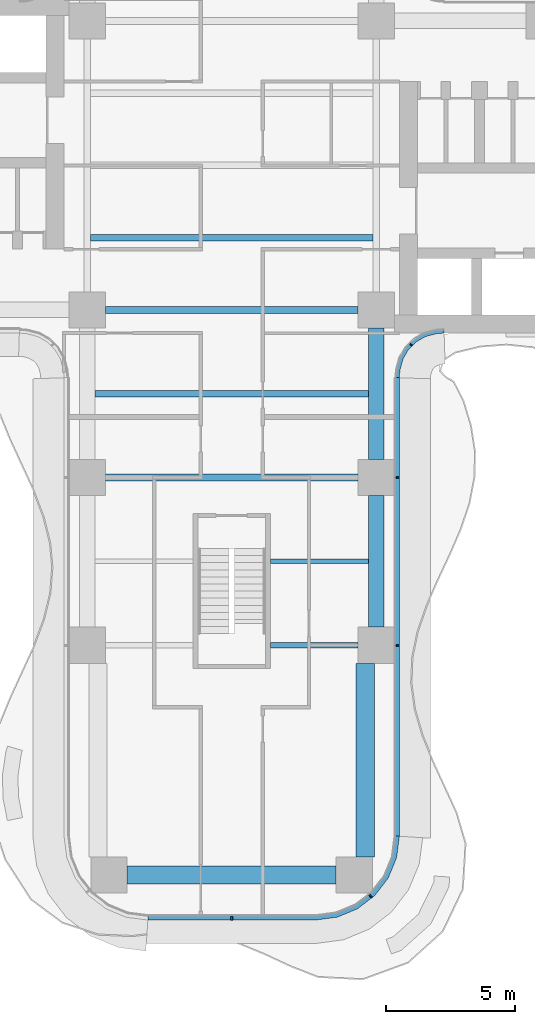
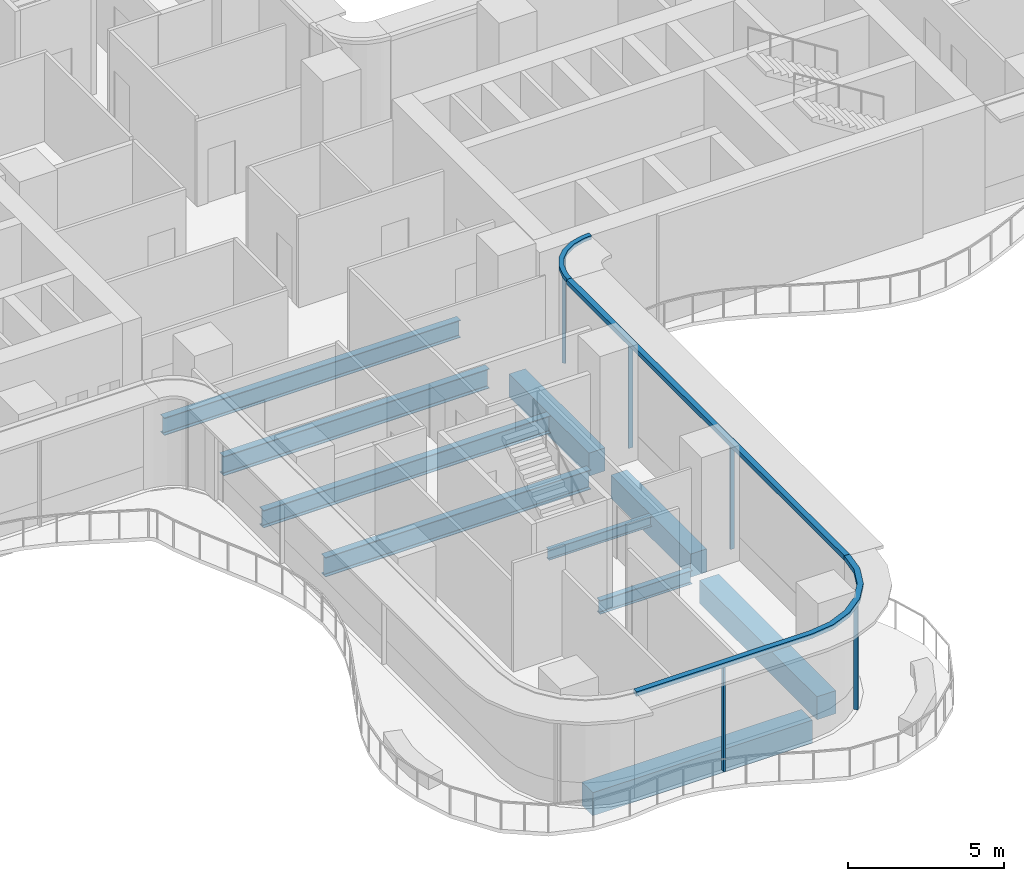
# One storey, part 5 of 22: 10 beams, 8 members, 3 elements without a shape of their own.
"""IFC4 building model written with IfcOpenShell, lengths in metres."""

from ifc_helpers import new_model, si_unit, direction, frame, origin, origin_2d, place, context, subcontext, project, spatial, polyline, rectangle, i_section, outline, extrude, source, transform, mapped, material, layer, layer_set, material_profile, profile_set, type_object, element, aggregate, save


model = new_model("IFC4")

# Units and contexts
model_context = context("Model", 3, precision=1e-05, world=origin(), true_north=direction((0.0, 1.0)))
body_context = subcontext(model_context, "Body", "Model", "MODEL_VIEW")
ifc_project = project(units=[si_unit("LENGTHUNIT", "METRE"), si_unit("AREAUNIT", "SQUARE_METRE"), si_unit("VOLUMEUNIT", "CUBIC_METRE"), si_unit("PLANEANGLEUNIT", "RADIAN"), si_unit("MASSUNIT", "GRAM", prefix="KILO")], contexts=[model_context])

# Site, building, storey
site_placement = place(None, origin())
site = spatial("IfcSite", under=ifc_project, at=site_placement, CompositionType="ELEMENT")
building_placement = place(site_placement, origin())
building = spatial("IfcBuilding", under=site, at=building_placement, Name="Trellis Farm Tower", CompositionType="ELEMENT")
storey_placement = place(building_placement, frame((0.0, 0.0, 47.5)))
storey = spatial("IfcBuildingStorey", under=building, at=storey_placement, Name="L09", CompositionType="ELEMENT", Elevation=47.5)

# Beams
ifc_material_1 = material(Name="Steel S355", Category="steel")
ifc_material_profile_1 = material_profile(ifc_material_1, i_section(OverallWidth=0.253662109375, OverallDepth=0.68359375, WebThickness=0.012451171875, FlangeThickness=0.021728515625, FilletRadius=0.01513671875, at=origin_2d()), Name="UB 686x254x140")
ifc_profile_set_1 = profile_set([ifc_material_profile_1], Name="Steel S355")
beam_type_1 = type_object("IfcBeamType", Name="UB 686x254x140 joist", PredefinedType="JOIST", material=ifc_profile_set_1)
shared_shape_1 = source(origin(), body_context, "Body", "SweptSolid", [
    extrude(i_section(OverallWidth=0.253662109375, OverallDepth=0.68359375, WebThickness=0.012451171875, FlangeThickness=0.021728515625, FilletRadius=0.01513671875, at=origin_2d()), origin(), (0.0, 0.0, 1.0), 10.93310546875),
])
beam_1_placement = place(storey_placement, frame((-5.466552734375, -2.800048828125, -0.591796875), z_axis=(1.0, 0.0, 0.0), x_axis=(0.0, 1.0, 0.0)))
element("IfcBeam", 1, at=beam_1_placement, inside=storey, type_object=beam_type_1, Name="Floor beam", PredefinedType="JOIST", context=body_context, shape_type="MappedRepresentation", body=[
    mapped(shared_shape_1, transform((0.0, 0.0, 0.0))),
])
ifc_material_profile_2 = material_profile(ifc_material_1, i_section(OverallWidth=0.209228515625, OverallDepth=0.533203125, WebThickness=0.010009765625, FlangeThickness=0.015625, FilletRadius=0.0126953125, at=origin_2d()), Name="UB 533x210x92")
ifc_profile_set_2 = profile_set([ifc_material_profile_2], Name="Steel S355")
beam_type_2 = type_object("IfcBeamType", Name="UB 533x210x92", PredefinedType="BEAM", material=ifc_profile_set_2)
shared_shape_2 = source(origin(), body_context, "Body", "SweptSolid", [
    extrude(i_section(OverallWidth=0.209228515625, OverallDepth=0.533203125, WebThickness=0.010009765625, FlangeThickness=0.015625, FilletRadius=0.0126953125, at=origin_2d()), origin(), (0.0, 0.0, 1.0), 3.39990234375),
])
beam_2_placement = place(storey_placement, frame((1.5, -18.60009765625, -0.5166015625), z_axis=(1.0, 0.0, 0.0), x_axis=(0.0, 1.0, 0.0)))
element("IfcBeam", 2, at=beam_2_placement, inside=storey, type_object=beam_type_2, Name="Girder", PredefinedType="BEAM", context=body_context, shape_type="MappedRepresentation", body=[
    mapped(shared_shape_2, transform((0.0, 0.0, 0.0))),
])
ifc_material_2 = material(Name="Concrete C60/75", Category="concrete")
ifc_material_profile_3 = material_profile(ifc_material_2, rectangle(XDim=0.60009765625, YDim=0.89990234375, at=origin_2d()), Name="RC spandrel beam 600x900 C60/75")
ifc_profile_set_3 = profile_set([ifc_material_profile_3], Name="Concrete C60/75")
beam_type_3 = type_object("IfcBeamType", Name="RC spandrel beam 600x900 C60/75", PredefinedType="SPANDREL", material=ifc_profile_set_3)
shared_shape_3 = source(origin(), body_context, "Body", "SweptSolid", [
    extrude(rectangle(XDim=0.60009765625, YDim=0.89990234375, at=origin_2d()), origin(), (0.0, 0.0, 1.0), 5.099853515625),
])
for number, where, z_axis, x_axis, name in (
    (3, (5.60009765625, -17.89990234375, -0.699951171875), (0.0, 1.0, 0.0), (-1.0, 0.0, 0.0), "Girder"),
    (4, (5.60009765625, -11.39990234375, -0.699951171875), (0.0, 1.0, 0.0), (-1.0, 0.0, 0.0), "Girder"),
):
    element("IfcBeam", number, at=place(storey_placement, frame(where, z_axis=z_axis, x_axis=x_axis)), inside=storey, type_object=beam_type_3, Name=name, PredefinedType="SPANDREL", context=body_context, shape_type="MappedRepresentation", body=[
        mapped(shared_shape_3, transform((0.0, 0.0, 0.0))),
    ])
ifc_material_profile_4 = material_profile(ifc_material_1, i_section(OverallWidth=0.2666015625, OverallDepth=0.76220703125, WebThickness=0.014404296875, FlangeThickness=0.021484375, FilletRadius=0.0166015625, at=origin_2d()), Name="UB 762x267x173")
ifc_profile_set_4 = profile_set([ifc_material_profile_4], Name="Steel S355")
beam_type_4 = type_object("IfcBeamType", Name="UB 762x267x173", PredefinedType="BEAM", material=ifc_profile_set_4)
shared_shape_4 = source(origin(), body_context, "Body", "SweptSolid", [
    extrude(i_section(OverallWidth=0.2666015625, OverallDepth=0.76220703125, WebThickness=0.014404296875, FlangeThickness=0.021484375, FilletRadius=0.0166015625, at=origin_2d()), origin(), (0.0, 0.0, 1.0), 9.7998046875),
])
for number, where, z_axis, x_axis, name in (
    (5, (-4.89990234375, -12.10009765625, -0.631103515625), (1.0, 0.0, 0.0), (0.0, 1.0, 0.0), "Girder"),
    (6, (-4.89990234375, -5.60009765625, -0.631103515625), (1.0, 0.0, 0.0), (0.0, 1.0, 0.0), "Girder"),
):
    element("IfcBeam", number, at=place(storey_placement, frame(where, z_axis=z_axis, x_axis=x_axis)), inside=storey, type_object=beam_type_4, Name=name, PredefinedType="BEAM", context=body_context, shape_type="MappedRepresentation", body=[
        mapped(shared_shape_4, transform((0.0, 0.0, 0.0))),
    ])
ifc_material_profile_5 = material_profile(ifc_material_2, rectangle(XDim=0.699951171875, YDim=0.89990234375, at=origin_2d()), Name="RC spandrel beam 700x900 C60/75")
ifc_profile_set_5 = profile_set([ifc_material_profile_5], Name="Concrete C60/75")
beam_type_5 = type_object("IfcBeamType", Name="RC spandrel beam 700x900 C60/75", PredefinedType="SPANDREL", material=ifc_profile_set_5)
shared_shape_5 = source(origin(), body_context, "Body", "SweptSolid", [
    extrude(rectangle(XDim=0.699951171875, YDim=0.89990234375, at=origin_2d()), origin(), (0.0, 0.0, 1.0), 8.10009765625),
])
beam_3_placement = place(storey_placement, frame((-4.050048828125, -27.5, -0.699951171875), z_axis=(1.0, 0.0, 0.0), x_axis=(0.0, 1.0, 0.0)))
element("IfcBeam", 7, at=beam_3_placement, inside=storey, type_object=beam_type_5, Name="Girder", PredefinedType="SPANDREL", context=body_context, shape_type="MappedRepresentation", body=[
    mapped(shared_shape_5, transform((0.0, 0.0, 0.0))),
])
shared_shape_6 = source(origin(), body_context, "Body", "SweptSolid", [
    extrude(rectangle(XDim=0.699951171875, YDim=0.89990234375, at=origin_2d()), origin(), (0.0, 0.0, 1.0), 7.5),
])
beam_4_placement = place(storey_placement, frame((5.175048828125, -26.800048828125, -0.699951171875), z_axis=(0.0, 1.0, 0.0), x_axis=(-1.0, 0.0, 0.0)))
element("IfcBeam", 8, at=beam_4_placement, inside=storey, type_object=beam_type_5, Name="Girder", PredefinedType="SPANDREL", context=body_context, shape_type="MappedRepresentation", body=[
    mapped(shared_shape_6, transform((0.0, 0.0, 0.0))),
])
ifc_material_profile_6 = material_profile(ifc_material_1, i_section(OverallWidth=0.177978515625, OverallDepth=0.406494140625, WebThickness=0.0078125, FlangeThickness=0.0126953125, FilletRadius=0.01025390625, at=origin_2d()), Name="UB 406x178x60")
ifc_profile_set_6 = profile_set([ifc_material_profile_6], Name="Steel S355")
beam_type_6 = type_object("IfcBeamType", Name="UB 406x178x60 joist", PredefinedType="JOIST", material=ifc_profile_set_6)
shared_shape_7 = source(origin(), body_context, "Body", "SweptSolid", [
    extrude(i_section(OverallWidth=0.177978515625, OverallDepth=0.406494140625, WebThickness=0.0078125, FlangeThickness=0.0126953125, FilletRadius=0.01025390625, at=origin_2d()), origin(), (0.0, 0.0, 1.0), 3.800048828125),
])
beam_5_placement = place(storey_placement, frame((1.5, -15.35009765625, -0.453125), z_axis=(1.0, 0.0, 0.0), x_axis=(0.0, 1.0, 0.0)))
element("IfcBeam", 9, at=beam_5_placement, inside=storey, type_object=beam_type_6, Name="Floor beam", PredefinedType="JOIST", context=body_context, shape_type="MappedRepresentation", body=[
    mapped(shared_shape_7, transform((0.0, 0.0, 0.0))),
])
shared_shape_8 = source(origin(), body_context, "Body", "SweptSolid", [
    extrude(i_section(OverallWidth=0.253662109375, OverallDepth=0.68359375, WebThickness=0.012451171875, FlangeThickness=0.021728515625, FilletRadius=0.01513671875, at=origin_2d()), origin(), (0.0, 0.0, 1.0), 10.60009765625),
])
beam_6_placement = place(storey_placement, frame((-5.300048828125, -8.85009765625, -0.591796875), z_axis=(1.0, 0.0, 0.0), x_axis=(0.0, 1.0, 0.0)))
element("IfcBeam", 10, at=beam_6_placement, inside=storey, type_object=beam_type_1, Name="Floor beam", PredefinedType="JOIST", context=body_context, shape_type="MappedRepresentation", body=[
    mapped(shared_shape_8, transform((0.0, 0.0, 0.0))),
])

# Curtain wall, members
ifc_material_3 = material(Name="Aluminium and glass curtain wall", Category="aluminium")
ifc_layer_1 = layer(ifc_material_3, 0.18994140625)
ifc_layer_set_1 = layer_set([ifc_layer_1], Name="RIBBON CURTAIN WALL CW1")
curtain_wall_type_1 = type_object("IfcCurtainWallType", Name="RIBBON CURTAIN WALL CW1", PredefinedType="NOTDEFINED", material=ifc_layer_set_1)
placement_1 = place(storey_placement, origin())
curtain_wall_1 = element("IfcCurtainWall", 11, at=placement_1, inside=storey, type_object=curtain_wall_type_1, Name="CW1 003", PredefinedType="NOTDEFINED")
ifc_material_4 = material(Name="Aluminium extrusion 6063-T6", Category="aluminium")
ifc_material_profile_7 = material_profile(ifc_material_4, rectangle(XDim=0.06005859375, YDim=0.14990234375, at=origin_2d()), Name="MULLION 60x150")
ifc_profile_set_7 = profile_set([ifc_material_profile_7], Name="Aluminium extrusion 6063-T6")
member_type_1 = type_object("IfcMemberType", Name="CW1 MULLION 60x150", PredefinedType="MULLION", material=ifc_profile_set_7)
shared_shape_9 = source(origin(), body_context, "Body", "SweptSolid", [
    extrude(rectangle(XDim=0.06005859375, YDim=0.14990234375, at=origin_2d()), origin(), (0.0, 0.0, 1.0), 4.070068359375),
])
member_1_placement = place(storey_placement, frame((0.0, -29.175048828125, 0.0), z_axis=(0.0, 0.0, 1.0), x_axis=(1.0, 0.0, 0.0)))
member_1 = element("IfcMember", 12, at=member_1_placement, type_object=member_type_1, Name="MU1 003-01", PredefinedType="MULLION", context=body_context, shape_type="MappedRepresentation", body=[
    mapped(shared_shape_9, transform((0.0, 0.0, 0.0))),
])
member_2_placement = place(storey_placement, frame((5.385498046875, -28.328369140625, 0.0), z_axis=(0.0, 0.0, 1.0), x_axis=(0.793353340291, 0.608761429009, 0.0)))
member_2 = element("IfcMember", 13, at=member_2_placement, type_object=member_type_1, Name="MU1 003-02", PredefinedType="MULLION", context=body_context, shape_type="MappedRepresentation", body=[
    mapped(shared_shape_9, transform((0.0, 0.0, 0.0))),
])

curtain_wall_2 = element("IfcCurtainWall", 14, at=placement_1, inside=storey, type_object=curtain_wall_type_1, Name="CW1 004", PredefinedType="NOTDEFINED")
member_3_placement = place(storey_placement, frame((6.425048828125, -18.60009765625, 0.0), z_axis=(0.0, 0.0, 1.0), x_axis=(0.0, 1.0, 0.0)))
member_3 = element("IfcMember", 15, at=member_3_placement, type_object=member_type_1, Name="MU1 004-01", PredefinedType="MULLION", context=body_context, shape_type="MappedRepresentation", body=[
    mapped(shared_shape_9, transform((0.0, 0.0, 0.0))),
])
member_4_placement = place(storey_placement, frame((6.425048828125, -12.10009765625, 0.0), z_axis=(0.0, 0.0, 1.0), x_axis=(0.0, 1.0, 0.0)))
member_4 = element("IfcMember", 16, at=member_4_placement, type_object=member_type_1, Name="MU1 004-02", PredefinedType="MULLION", context=body_context, shape_type="MappedRepresentation", body=[
    mapped(shared_shape_9, transform((0.0, 0.0, 0.0))),
])

# Curtain wall, member
ifc_layer_2 = layer(ifc_material_3, 0.166015625)
ifc_layer_set_2 = layer_set([ifc_layer_2], Name="WINTER GARDEN CURTAIN WALL CW3")
curtain_wall_type_2 = type_object("IfcCurtainWallType", Name="WINTER GARDEN CURTAIN WALL CW3", PredefinedType="NOTDEFINED", material=ifc_layer_set_2)
curtain_wall_3 = element("IfcCurtainWall", 17, at=placement_1, inside=storey, type_object=curtain_wall_type_2, Name="CW3 002", PredefinedType="NOTDEFINED")
ifc_material_profile_8 = material_profile(ifc_material_4, rectangle(XDim=0.050048828125, YDim=0.1201171875, at=origin_2d()), Name="MULLION 50x120")
ifc_profile_set_8 = profile_set([ifc_material_profile_8], Name="Aluminium extrusion 6063-T6")
member_type_2 = type_object("IfcMemberType", Name="CW3 MULLION 50x120", PredefinedType="MULLION", material=ifc_profile_set_8)
shared_shape_10 = source(origin(), body_context, "Body", "SweptSolid", [
    extrude(rectangle(XDim=0.050048828125, YDim=0.1201171875, at=origin_2d()), origin(), (0.0, 0.0, 1.0), 4.10009765625),
])
member_5_placement = place(storey_placement, frame((6.953125, -6.953125, 0.0), z_axis=(0.0, 0.0, 1.0), x_axis=(0.707106781187, 0.707106781187, 0.0)))
member_5 = element("IfcMember", 18, at=member_5_placement, type_object=member_type_2, Name="MU3 002-01", PredefinedType="MULLION", context=body_context, shape_type="MappedRepresentation", body=[
    mapped(shared_shape_10, transform((0.0, 0.0, 0.0))),
])

# Member
ifc_layer_3 = layer(ifc_material_4, 0.199951171875)
ifc_layer_set_3 = layer_set([ifc_layer_3], Name="Aluminium extrusion 6063-T6")
member_type_3 = type_object("IfcMemberType", Name="CW1 TRANSOM 200x180", PredefinedType="USERDEFINED", material=ifc_layer_set_3)
shared_shape_11 = source(origin(), body_context, "Body", "SweptSolid", [
    extrude(outline(polyline([(-3.25, -29.25), (3.25, -29.25), (4.091064453125, -29.13916015625), (4.875, -28.814697265625), (5.548095703125, -28.298095703125), (6.064697265625, -27.625), (6.38916015625, -26.841064453125), (6.5, -26.0), (6.300048828125, -25.98681640625), (6.1943359375, -26.7890625), (5.889892578125, -27.524169921875), (5.405517578125, -28.155517578125), (4.774169921875, -28.639892578125), (4.0390625, -28.9443359375), (3.23681640625, -29.050048828125), (-3.23681640625, -29.050048828125), (-3.25, -29.25)])), origin(), (0.0, 0.0, 1.0), 0.179931640625),
])
placement_2 = place(storey_placement, frame((0.0, 0.0, 4.070068359375)))
member_6 = element("IfcMember", 19, at=placement_2, type_object=member_type_3, Name="TR1 003", ObjectType="TRANSOM", PredefinedType="USERDEFINED", context=body_context, shape_type="MappedRepresentation", body=[
    mapped(shared_shape_11, transform((0.0, 0.0, 0.0))),
])

aggregate(curtain_wall_1, [member_1, member_2, member_6])

shared_shape_12 = source(origin(), body_context, "Body", "SweptSolid", [
    extrude(outline(polyline([(6.5, -26.0), (6.5, -8.2314453125), (6.300048828125, -8.224853515625), (6.300048828125, -25.98681640625), (6.5, -26.0)])), origin(), (0.0, 0.0, 1.0), 0.179931640625),
])
member_7 = element("IfcMember", 20, at=placement_2, type_object=member_type_3, Name="TR1 004", ObjectType="TRANSOM", PredefinedType="USERDEFINED", context=body_context, shape_type="MappedRepresentation", body=[
    mapped(shared_shape_12, transform((0.0, 0.0, 0.0))),
])

aggregate(curtain_wall_2, [member_3, member_4, member_7])

ifc_layer_4 = layer(ifc_material_4, 0.169921875)
ifc_layer_set_4 = layer_set([ifc_layer_4], Name="Aluminium extrusion 6063-T6")
member_type_4 = type_object("IfcMemberType", Name="CW3 TRANSOM 170x150", PredefinedType="USERDEFINED", material=ifc_layer_set_4)
shared_shape_13 = source(origin(), body_context, "Body", "SweptSolid", [
    extrude(outline(polyline([(6.5, -8.2314453125), (6.513916015625, -8.01953125), (6.527587890625, -7.91552734375), (6.63671875, -7.508544921875), (6.846923828125, -7.144287109375), (7.144287109375, -6.846923828125), (7.508544921875, -6.63671875), (7.91552734375, -6.527587890625), (8.01953125, -6.513916015625), (8.2314453125, -6.5), (8.225830078125, -6.330078125), (8.0029296875, -6.3447265625), (7.88232421875, -6.360595703125), (7.44287109375, -6.478271484375), (7.0400390625, -6.7109375), (6.7109375, -7.0400390625), (6.478271484375, -7.44287109375), (6.360595703125, -7.88232421875), (6.3447265625, -8.0029296875), (6.330078125, -8.225830078125), (6.5, -8.2314453125)])), origin(), (0.0, 0.0, 1.0), 0.14990234375),
])
member_8_placement = place(storey_placement, frame((0.0, 0.0, 4.10009765625)))
member_8 = element("IfcMember", 21, at=member_8_placement, type_object=member_type_4, Name="TR3 002", ObjectType="TRANSOM", PredefinedType="USERDEFINED", context=body_context, shape_type="MappedRepresentation", body=[
    mapped(shared_shape_13, transform((0.0, 0.0, 0.0))),
])

aggregate(curtain_wall_3, [member_5, member_8])

save(model, "model.ifc")
